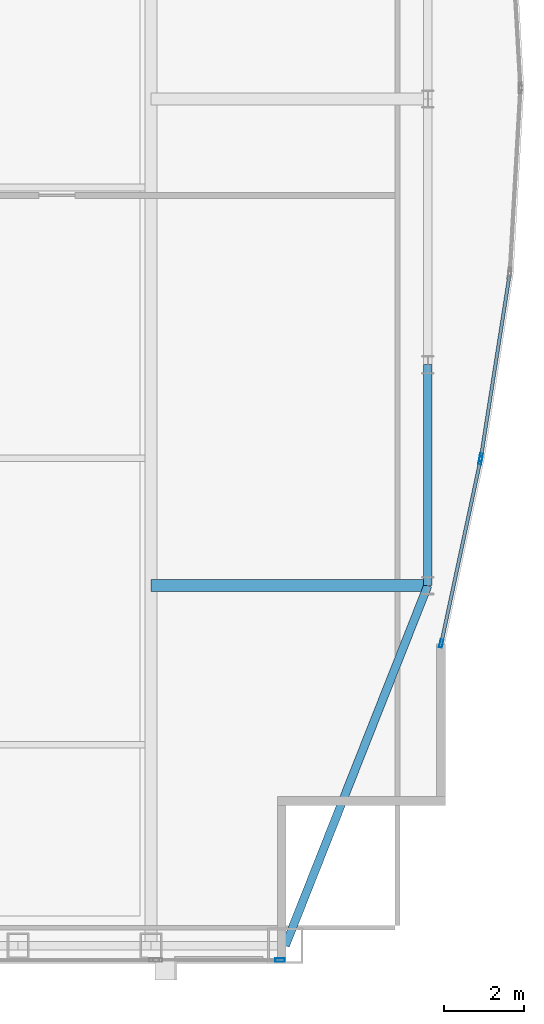
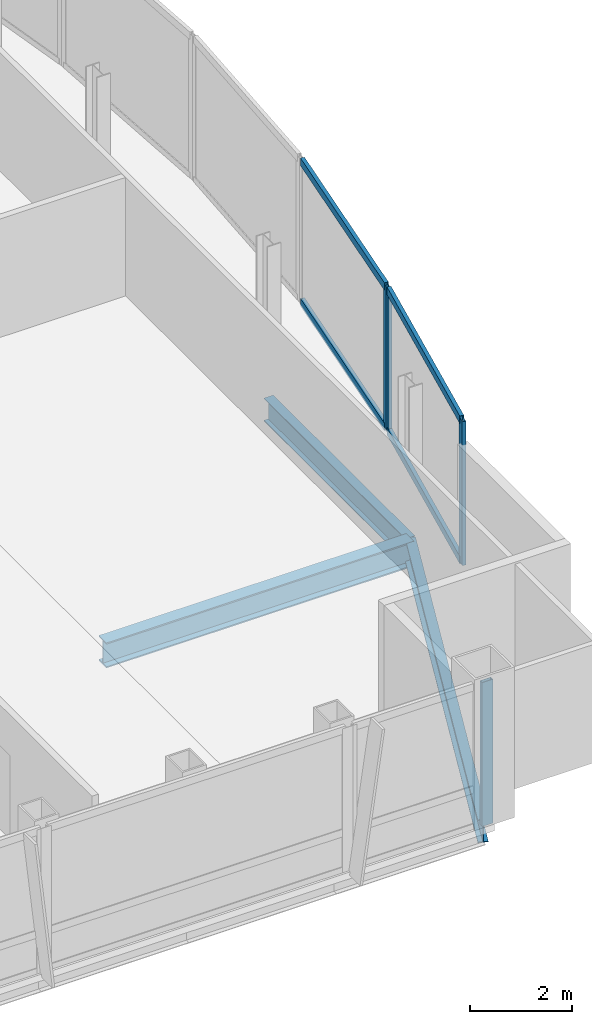
# One storey, part 16 of 29: 8 members, 3 beams, 3 elements without a shape of their own.
"""IFC4 building model written with IfcOpenShell, lengths in metres."""

from ifc_helpers import new_model, si_unit, direction, frame, origin, origin_2d, place, context, subcontext, project, spatial, hollow_rectangle, i_section, extrude, material, material_profile, profile_set, type_object, element, aggregate, save


model = new_model("IFC4")

# Units and contexts
model_context = context("Model", 3, precision=1e-05, world=origin(), true_north=direction((0.0, 1.0)))
body_context = subcontext(model_context, "Body", "Model", "MODEL_VIEW")
ifc_project = project(units=[si_unit("LENGTHUNIT", "METRE"), si_unit("AREAUNIT", "SQUARE_METRE"), si_unit("VOLUMEUNIT", "CUBIC_METRE"), si_unit("PLANEANGLEUNIT", "RADIAN"), si_unit("MASSUNIT", "GRAM", prefix="KILO")], contexts=[model_context])

# Site, building, storey
site_placement = place(None, origin())
site = spatial("IfcSite", under=ifc_project, at=site_placement, CompositionType="ELEMENT")
building_placement = place(site_placement, origin())
building = spatial("IfcBuilding", under=site, at=building_placement, Name="Khoronbel Lancet Exchange", CompositionType="ELEMENT")
storey_placement = place(building_placement, frame((0.0, 0.0, 329.0)))
storey = spatial("IfcBuildingStorey", under=building, at=storey_placement, Name="L85", CompositionType="ELEMENT", Elevation=329.0)

# Beams
ifc_material_1 = material(Name="Steel S355", Category="steel")
ifc_material_profile_1 = material_profile(ifc_material_1, i_section(OverallWidth=0.300048828125, OverallDepth=0.60009765625, WebThickness=0.015380859375, FlangeThickness=0.030029296875, at=origin_2d()), Name="HEB 600")
ifc_profile_set_1 = profile_set([ifc_material_profile_1], Name="Steel S355")
beam_type_1 = type_object("IfcBeamType", Name="BM-BG5", PredefinedType="BEAM", material=ifc_profile_set_1)
beam_1_placement = place(storey_placement, frame((54.675048828125, 19.199951171875, -0.4599609375), z_axis=(1.0, 0.0, 0.0), x_axis=(0.0, 1.0, 0.0)))
element("IfcBeam", 1, at=beam_1_placement, inside=storey, type_object=beam_type_1, Name="Level L85 east lens tie girder LG1E", PredefinedType="BEAM", context=body_context, shape_type="SweptSolid", body=[
    extrude(i_section(OverallWidth=0.300048828125, OverallDepth=0.60009765625, WebThickness=0.015380859375, FlangeThickness=0.030029296875, at=origin_2d()), origin(), (0.0, 0.0, 1.0), 6.954833984375),
])
ifc_material_profile_2 = material_profile(ifc_material_1, i_section(OverallWidth=0.2099609375, OverallDepth=0.550048828125, WebThickness=0.010986328125, FlangeThickness=0.01708984375, at=origin_2d()), Name="IPE 550")
ifc_profile_set_2 = profile_set([ifc_material_profile_2], Name="Steel S355")
beam_type_2 = type_object("IfcBeamType", Name="BM-BSP3", PredefinedType="SPANDREL", material=ifc_profile_set_2)
beam_2_placement = place(storey_placement, frame((58.050048828125, 10.14990234375, -0.43505859375), z_axis=(0.367828403855, 0.929893684954, 0.0), x_axis=(-0.929893684954, 0.367828403855, 0.0)))
element("IfcBeam", 2, at=beam_2_placement, inside=storey, type_object=beam_type_2, Name="Level L85 perimeter spandrel beam SP08", PredefinedType="SPANDREL", context=body_context, shape_type="SweptSolid", body=[
    extrude(i_section(OverallWidth=0.2099609375, OverallDepth=0.550048828125, WebThickness=0.010986328125, FlangeThickness=0.01708984375, at=origin_2d()), origin(), (0.0, 0.0, 1.0), 9.732421875),
])
beam_3_placement = place(storey_placement, frame((61.6298828125, 19.199951171875, -0.43505859375), z_axis=(0.0, 1.0, 0.0), x_axis=(-1.0, 0.0, 0.0)))
element("IfcBeam", 3, at=beam_3_placement, inside=storey, type_object=beam_type_2, Name="Level L85 perimeter spandrel beam SP09", PredefinedType="SPANDREL", context=body_context, shape_type="SweptSolid", body=[
    extrude(i_section(OverallWidth=0.2099609375, OverallDepth=0.550048828125, WebThickness=0.010986328125, FlangeThickness=0.01708984375, at=origin_2d()), origin(), (0.0, 0.0, 1.0), 5.550048828125),
])

# Curtain wall, member
ifc_material_2 = material(Name="Low-E Solar Control Insulating Glass", Category="glass")
curtain_wall_type_1 = type_object("IfcCurtainWallType", Name="CW-3", PredefinedType="NOTDEFINED", material=ifc_material_2)
curtain_wall_1_placement = place(storey_placement, origin())
curtain_wall_1 = element("IfcCurtainWall", 4, at=curtain_wall_1_placement, inside=storey, type_object=curtain_wall_type_1, Name="Unitised curtain wall CW-L85-SEV", PredefinedType="NOTDEFINED")
ifc_material_3 = material(Name="Bronze-Anodised Aluminium 6063-T6", Category="aluminium")
ifc_material_profile_3 = material_profile(ifc_material_3, hollow_rectangle(XDim=0.0849609375, YDim=0.239990234375, WallThickness=0.006103515625, at=origin_2d()), Name="ALU MULLION 85x240")
ifc_profile_set_3 = profile_set([ifc_material_profile_3], Name="Bronze-Anodised Aluminium 6063-T6")
member_type_1 = type_object("IfcMemberType", Name="MEM-CWM1", PredefinedType="MULLION", material=ifc_profile_set_3)
member_1_placement = place(storey_placement, frame((57.91748046875, 9.7900390625, 0.0), z_axis=(0.0, 0.0, 1.0), x_axis=(0.0, 1.0, 0.0)))
member_1 = element("IfcMember", 5, at=member_1_placement, type_object=member_type_1, Name="CW3 mullion 2", PredefinedType="MULLION", context=body_context, shape_type="SweptSolid", body=[
    extrude(hollow_rectangle(XDim=0.0849609375, YDim=0.239990234375, WallThickness=0.006103515625, at=origin_2d()), origin(), (0.0, 0.0, 1.0), 3.43994140625),
])
aggregate(curtain_wall_1, [member_1])

curtain_wall_type_2 = type_object("IfcCurtainWallType", Name="CW-4", PredefinedType="NOTDEFINED", material=ifc_material_2)
curtain_wall_2_placement = place(storey_placement, origin())
curtain_wall_2 = element("IfcCurtainWall", 6, at=curtain_wall_2_placement, inside=storey, type_object=curtain_wall_type_2, Name="Unitised curtain wall CW-L85-E21", PredefinedType="NOTDEFINED")
ifc_material_profile_4 = material_profile(ifc_material_3, hollow_rectangle(XDim=0.074951171875, YDim=0.199951171875, WallThickness=0.0048828125, at=origin_2d()), Name="ALU MULLION 75x200")
ifc_profile_set_4 = profile_set([ifc_material_profile_4], Name="Bronze-Anodised Aluminium 6063-T6")
member_type_2 = type_object("IfcMemberType", Name="MEM-CWM2", PredefinedType="MULLION", material=ifc_profile_set_4)
member_2_placement = place(storey_placement, frame((62.965087890625, 22.420166015625, 0.0), z_axis=(0.0, 0.0, 1.0), x_axis=(0.987966514912, -0.154667919789, 0.0)))
member_2 = element("IfcMember", 7, at=member_2_placement, type_object=member_type_2, Name="CW4 mullion 2", PredefinedType="MULLION", context=body_context, shape_type="SweptSolid", body=[
    extrude(hollow_rectangle(XDim=0.074951171875, YDim=0.199951171875, WallThickness=0.0048828125, at=origin_2d()), origin(), (0.0, 0.0, 1.0), 3.43994140625),
])

# Curtain wall, members
curtain_wall_3_placement = place(storey_placement, origin())
curtain_wall_3 = element("IfcCurtainWall", 8, at=curtain_wall_3_placement, inside=storey, type_object=curtain_wall_type_2, Name="Unitised curtain wall CW-L85-E22", PredefinedType="NOTDEFINED")
member_3_placement = place(storey_placement, frame((62.95166015625, 22.346435546875, 0.0), z_axis=(0.0, 0.0, 1.0), x_axis=(0.977891735749, -0.209111819739, 0.0)))
member_3 = element("IfcMember", 9, at=member_3_placement, type_object=member_type_2, Name="CW4 mullion 1", PredefinedType="MULLION", context=body_context, shape_type="SweptSolid", body=[
    extrude(hollow_rectangle(XDim=0.074951171875, YDim=0.199951171875, WallThickness=0.0048828125, at=origin_2d()), origin(), (0.0, 0.0, 1.0), 3.43994140625),
])
member_4_placement = place(storey_placement, frame((61.9677734375, 17.74609375, 0.0), z_axis=(0.0, 0.0, 1.0), x_axis=(0.977891735749, -0.209111819739, 0.0)))
member_4 = element("IfcMember", 10, at=member_4_placement, type_object=member_type_2, Name="CW4 mullion 2", PredefinedType="MULLION", context=body_context, shape_type="SweptSolid", body=[
    extrude(hollow_rectangle(XDim=0.074951171875, YDim=0.199951171875, WallThickness=0.0048828125, at=origin_2d()), origin(), (0.0, 0.0, 1.0), 3.43994140625),
])

# Member
ifc_material_profile_5 = material_profile(ifc_material_3, hollow_rectangle(XDim=0.0849609375, YDim=0.179931640625, WallThickness=0.0048828125, at=origin_2d()), Name="ALU TRANSOM 85x180")
ifc_profile_set_5 = profile_set([ifc_material_profile_5], Name="Bronze-Anodised Aluminium 6063-T6")
member_type_3 = type_object("IfcMemberType", Name="MEM-CWT1", PredefinedType="USERDEFINED", material=ifc_profile_set_5)
member_5_placement = place(storey_placement, frame((63.67724609375, 26.96875, 0.04248046875), z_axis=(-0.154672073509, -0.987965864631, 0.0), x_axis=(0.987965864631, -0.154672073509, 0.0)))
member_5 = element("IfcMember", 11, at=member_5_placement, type_object=member_type_3, Name="CW4 transom 1.1", ObjectType="TRANSOM", PredefinedType="USERDEFINED", context=body_context, shape_type="SweptSolid", body=[
    extrude(hollow_rectangle(XDim=0.0849609375, YDim=0.179931640625, WallThickness=0.0048828125, at=origin_2d()), origin(), (0.0, 0.0, 1.0), 4.56640625),
])

member_6_placement = place(storey_placement, frame((63.67724609375, 26.96875, 3.3974609375), z_axis=(-0.154672073509, -0.987965864631, 0.0), x_axis=(0.987965864631, -0.154672073509, 0.0)))
member_6 = element("IfcMember", 12, at=member_6_placement, type_object=member_type_3, Name="CW4 transom 1.2", ObjectType="TRANSOM", PredefinedType="USERDEFINED", context=body_context, shape_type="SweptSolid", body=[
    extrude(hollow_rectangle(XDim=0.0849609375, YDim=0.179931640625, WallThickness=0.0048828125, at=origin_2d()), origin(), (0.0, 0.0, 1.0), 4.56640625),
])

aggregate(curtain_wall_2, [member_2, member_5, member_6])

member_7_placement = place(storey_placement, frame((62.943603515625, 22.309814453125, 0.04248046875), z_axis=(-0.209111271548, -0.977891852973, 0.0), x_axis=(0.977891852973, -0.209111271548, 0.0)))
member_7 = element("IfcMember", 13, at=member_7_placement, type_object=member_type_3, Name="CW4 transom 1.1", ObjectType="TRANSOM", PredefinedType="USERDEFINED", context=body_context, shape_type="SweptSolid", body=[
    extrude(hollow_rectangle(XDim=0.0849609375, YDim=0.179931640625, WallThickness=0.0048828125, at=origin_2d()), origin(), (0.0, 0.0, 1.0), 4.629150390625),
])

member_8_placement = place(storey_placement, frame((62.943603515625, 22.309814453125, 3.3974609375), z_axis=(-0.209111271548, -0.977891852973, 0.0), x_axis=(0.977891852973, -0.209111271548, 0.0)))
member_8 = element("IfcMember", 14, at=member_8_placement, type_object=member_type_3, Name="CW4 transom 1.2", ObjectType="TRANSOM", PredefinedType="USERDEFINED", context=body_context, shape_type="SweptSolid", body=[
    extrude(hollow_rectangle(XDim=0.0849609375, YDim=0.179931640625, WallThickness=0.0048828125, at=origin_2d()), origin(), (0.0, 0.0, 1.0), 4.629150390625),
])

aggregate(curtain_wall_3, [member_3, member_4, member_7, member_8])

save(model, "model.ifc")
